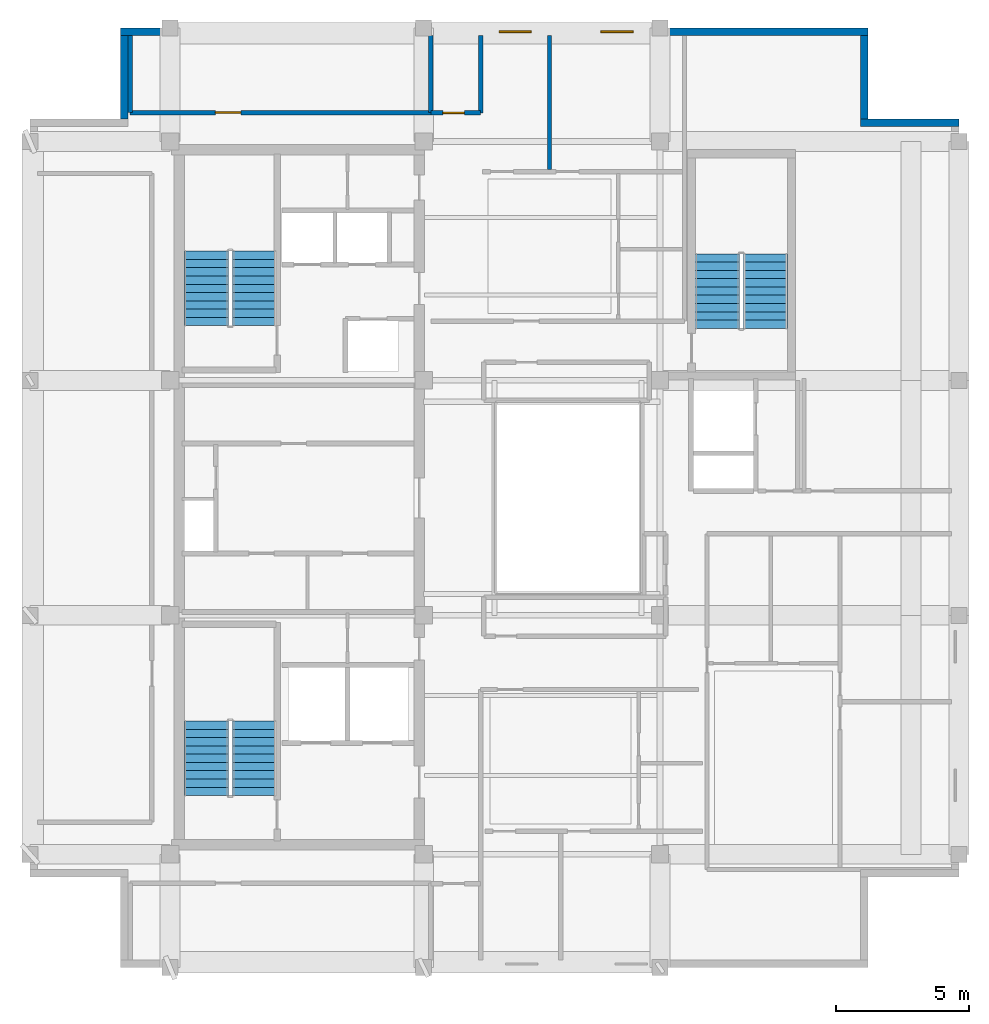
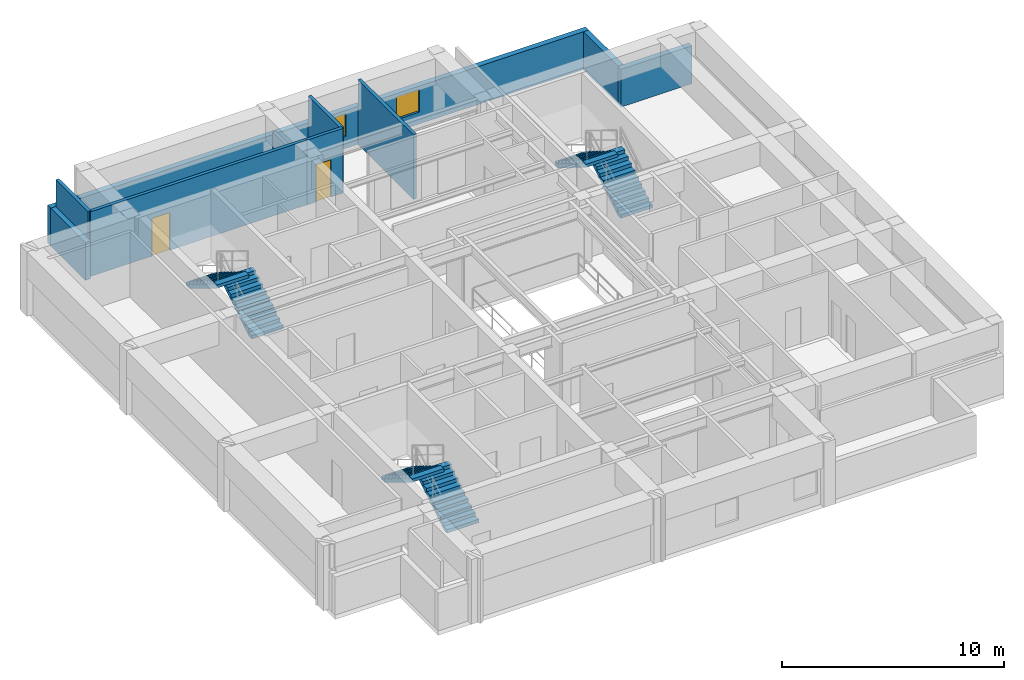
# One storey, part 5 of 6: 10 walls, 6 stair flights, 2 doors, 2 windows, 4 openings, 3 elements without a shape of their own.
"""IFC4 building model written with IfcOpenShell, lengths in metres."""

from ifc_helpers import new_model, si_unit, direction, frame, frame_2d, origin, place, context, subcontext, project, spatial, polyline, rectangle, outline, extrude, material, layer, layer_set, type_object, element, fill, aggregate, save


model = new_model("IFC4")

# Units and contexts
model_context = context("Model", 3, precision=1e-05, world=origin(), true_north=direction((0.0, 1.0)))
body_context = subcontext(model_context, "Body", "Model", "MODEL_VIEW")
ifc_project = project(units=[si_unit("LENGTHUNIT", "METRE"), si_unit("AREAUNIT", "SQUARE_METRE"), si_unit("VOLUMEUNIT", "CUBIC_METRE"), si_unit("PLANEANGLEUNIT", "RADIAN"), si_unit("MASSUNIT", "GRAM", prefix="KILO")], contexts=[model_context])

# Site, building, storey
site_placement = place(None, origin())
site = spatial("IfcSite", under=ifc_project, at=site_placement, CompositionType="ELEMENT")
building_placement = place(site_placement, origin())
building = spatial("IfcBuilding", under=site, at=building_placement, Name="Kundavana Baori Tower", CompositionType="ELEMENT")
storey_placement = place(building_placement, frame((0.0, 0.0, 331.5)))
storey = spatial("IfcBuildingStorey", under=building, at=storey_placement, Name="L82", CompositionType="ELEMENT", Elevation=331.5)

# Walls
ifc_material_1 = material(Name="Red-Buff Dholpur Sandstone Cladding on Concrete C40/50", Category="masonry")
ifc_layer_1 = layer(ifc_material_1, 0.280029296875, Name="WL-EXT-SAND-280")
ifc_layer_set_1 = layer_set([ifc_layer_1], Name="Red-Buff Dholpur Sandstone Cladding on Concrete C40/50")
wall_type_1 = type_object("IfcWallType", Name="WL-EXT-SAND-280", PredefinedType="STANDARD", material=ifc_layer_set_1)
wall_1_placement = place(storey_placement, frame((45.0, 42.659912109375, 0.0), z_axis=(0.0, 0.0, 1.0), x_axis=(-1.0, 0.0, 0.0)))
element("IfcWall", 1, at=wall_1_placement, inside=storey, type_object=wall_type_1, Name="L82 Exterior Insulated Facade Wall 05", PredefinedType="STANDARD", context=body_context, shape_type="SweptSolid", body=[
    extrude(rectangle(XDim=3.679931640625, YDim=0.280029296875, at=frame_2d((1.83984375, 0.0))), origin(), (0.0, 0.0, 1.0), 2.080078125),
])
wall_2_placement = place(storey_placement, frame((41.4599609375, 42.800048828125, 0.0), z_axis=(0.0, 0.0, 1.0), x_axis=(0.0, 1.0, 0.0)))
element("IfcWall", 2, at=wall_2_placement, inside=storey, type_object=wall_type_1, Name="L82 Exterior Insulated Facade Wall 06", PredefinedType="STANDARD", context=body_context, shape_type="SweptSolid", body=[
    extrude(rectangle(XDim=3.119873046875, YDim=0.280029296875, at=frame_2d((1.56005859375, 0.0))), origin(), (0.0, 0.0, 1.0), 2.080078125),
])

# Wall, openings, windows
wall_3_placement = place(storey_placement, frame((41.60009765625, 46.06005859375, 0.0), z_axis=(0.0, 0.0, 1.0), x_axis=(-1.0, 0.0, 0.0)))
wall_3 = element("IfcWall", 3, at=wall_3_placement, inside=storey, type_object=wall_type_1, Name="L82 Exterior Insulated Facade Wall 07", PredefinedType="STANDARD", context=body_context, shape_type="SweptSolid", body=[
    extrude(rectangle(XDim=28.0, YDim=0.280029296875, at=frame_2d((14.0, 0.0))), origin(), (0.0, 0.0, 1.0), 2.080078125),
])
opening_1_placement = place(wall_3_placement, frame((12.6298828125, 0.0, 0.64990234375)))
opening_1 = element("IfcOpeningElement", 4, at=opening_1_placement, cuts=wall_3, Name="Opening W-12", PredefinedType="OPENING", context=body_context, shape_type="SweptSolid", body=[
    extrude(rectangle(XDim=1.199951171875, YDim=1.25, at=frame_2d((0.60009765625, 0.625))), frame((0.0, 0.14990234375, 0.0), z_axis=(0.0, -1.0, 0.0), x_axis=(1.0, 0.0, 0.0)), (0.0, 0.0, 1.0), 0.300048828125),
])
opening_2_placement = place(wall_3_placement, frame((8.81005859375, 0.0, 0.64990234375)))
opening_2 = element("IfcOpeningElement", 5, at=opening_2_placement, cuts=wall_3, Name="Opening W-12", PredefinedType="OPENING", context=body_context, shape_type="SweptSolid", body=[
    extrude(rectangle(XDim=1.199951171875, YDim=1.25, at=frame_2d((0.60009765625, 0.625))), frame((0.0, 0.14990234375, 0.0), z_axis=(0.0, -1.0, 0.0), x_axis=(1.0, 0.0, 0.0)), (0.0, 0.0, 1.0), 0.300048828125),
])
ifc_material_2 = material(Name="Double-Glazed Solar-Control Low-E Insulated Glass", Category="glass")
window_type = type_object("IfcWindowType", Name="WIN-TRN-1200x1250", PartitioningType="SINGLE_PANEL", PredefinedType="WINDOW", material=ifc_material_2)
window_1_placement = place(opening_1_placement, origin())
window_1 = element("IfcWindow", 6, at=window_1_placement, inside=storey, type_object=window_type, Name="L82 Dwelling Outlook Window DW-3", OverallHeight=1.25, OverallWidth=1.199951171875, PartitioningType="SINGLE_PANEL", PredefinedType="WINDOW", context=body_context, shape_type="SweptSolid", body=[
    extrude(rectangle(XDim=1.199951171875, YDim=1.25, at=frame_2d((0.60009765625, 0.625))), frame((0.0, 0.030029296875, 0.0), z_axis=(0.0, -1.0, 0.0), x_axis=(1.0, 0.0, 0.0)), (0.0, 0.0, 1.0), 0.06005859375),
])
fill(opening_1, window_1)
window_2_placement = place(opening_2_placement, origin())
window_2 = element("IfcWindow", 7, at=window_2_placement, inside=storey, type_object=window_type, Name="L82 Dwelling Outlook Window DW-4", OverallHeight=1.25, OverallWidth=1.199951171875, PartitioningType="SINGLE_PANEL", PredefinedType="WINDOW", context=body_context, shape_type="SweptSolid", body=[
    extrude(rectangle(XDim=1.199951171875, YDim=1.25, at=frame_2d((0.60009765625, 0.625))), frame((0.0, 0.030029296875, 0.0), z_axis=(0.0, -1.0, 0.0), x_axis=(1.0, 0.0, 0.0)), (0.0, 0.0, 1.0), 0.06005859375),
])
fill(opening_2, window_2)

# Wall
wall_4_placement = place(storey_placement, frame((13.739990234375, 45.919921875, 0.0), z_axis=(0.0, 0.0, 1.0), x_axis=(0.0, -1.0, 0.0)))
element("IfcWall", 8, at=wall_4_placement, inside=storey, type_object=wall_type_1, Name="L82 Exterior Insulated Facade Wall 08", PredefinedType="STANDARD", context=body_context, shape_type="SweptSolid", body=[
    extrude(rectangle(XDim=3.119873046875, YDim=0.280029296875, at=frame_2d((1.56005859375, 0.0))), origin(), (0.0, 0.0, 1.0), 2.080078125),
])

# Wall, opening, door
ifc_material_3 = material(Name="Fire-Rated Gypsum Drywall on Galvanised Steel Studs", Category="steel")
ifc_layer_2 = layer(ifc_material_3, 0.1650390625, Name="WL-PART-165")
ifc_layer_set_2 = layer_set([ifc_layer_2], Name="Fire-Rated Gypsum Drywall on Galvanised Steel Studs")
wall_type_2 = type_object("IfcWallType", Name="WL-PART-165", PredefinedType="PARTITIONING", material=ifc_layer_set_2)
wall_5_placement = place(storey_placement, frame((13.949951171875, 43.030029296875, 0.0), z_axis=(0.0, 0.0, 1.0), x_axis=(1.0, 0.0, 0.0)))
wall_5 = element("IfcWall", 9, at=wall_5_placement, inside=storey, type_object=wall_type_2, Name="WL-L82-RNC", PredefinedType="PARTITIONING", context=body_context, shape_type="SweptSolid", body=[
    extrude(rectangle(XDim=11.27001953125, YDim=0.1650390625, at=frame_2d((5.635009765625, 0.0))), origin(), (0.0, 0.0, 1.0), 3.56005859375),
])
opening_3_placement = place(wall_5_placement, frame((3.199951171875, 0.0, 0.0)))
opening_3 = element("IfcOpeningElement", 10, at=opening_3_placement, cuts=wall_5, Name="Opening ID-095", PredefinedType="OPENING", context=body_context, shape_type="SweptSolid", body=[
    extrude(rectangle(XDim=0.949951171875, YDim=2.080078125, at=frame_2d((0.47509765625, 1.0400390625))), frame((0.0, 0.092529296875, 0.0), z_axis=(0.0, -1.0, 0.0), x_axis=(1.0, 0.0, 0.0)), (0.0, 0.0, 1.0), 0.18505859375),
])
ifc_material_4 = material(Name="Engineered Teak Solid-Core Timber Veneer", Category="wood")
door_type_1 = type_object("IfcDoorType", Name="DR-INT-950", OperationType="NOTDEFINED", PredefinedType="DOOR", material=ifc_material_4)
door_1_placement = place(opening_3_placement, origin())
door_1 = element("IfcDoor", 11, at=door_1_placement, inside=storey, type_object=door_type_1, Name="DR-L82-RMNW", OperationType="SINGLE_SWING_RIGHT", OverallHeight=2.080078125, OverallWidth=0.949951171875, PredefinedType="DOOR", context=body_context, shape_type="SweptSolid", body=[
    extrude(rectangle(XDim=0.949951171875, YDim=2.080078125, at=frame_2d((0.47509765625, 1.0400390625))), frame((0.0, 0.02490234375, 0.0), z_axis=(0.0, -1.0, 0.0), x_axis=(1.0, 0.0, 0.0)), (0.0, 0.0, 1.0), 0.050048828125),
])
fill(opening_3, door_1)

# Walls
wall_6_placement = place(storey_placement, frame((13.949951171875, 43.030029296875, 0.0), z_axis=(0.0, 0.0, 1.0), x_axis=(0.0, 1.0, 0.0)))
element("IfcWall", 12, at=wall_6_placement, inside=storey, type_object=wall_type_2, Name="WL-L82-RNCW", PredefinedType="PARTITIONING", context=body_context, shape_type="SweptSolid", body=[
    extrude(rectangle(XDim=2.889892578125, YDim=0.1650390625, at=frame_2d((1.44482421875, 0.0))), origin(), (0.0, 0.0, 1.0), 3.56005859375),
])
wall_7_placement = place(storey_placement, frame((25.219970703125, 43.030029296875, 0.0), z_axis=(0.0, 0.0, 1.0), x_axis=(0.0, 1.0, 0.0)))
element("IfcWall", 13, at=wall_7_placement, inside=storey, type_object=wall_type_2, Name="WL-L82-RNCE", PredefinedType="PARTITIONING", context=body_context, shape_type="SweptSolid", body=[
    extrude(rectangle(XDim=2.889892578125, YDim=0.1650390625, at=frame_2d((1.44482421875, 0.0))), origin(), (0.0, 0.0, 1.0), 2.239990234375),
])
wall_8_placement = place(storey_placement, frame((29.659912109375, 40.902099609375, 0.0), z_axis=(0.0, 0.0, 1.0), x_axis=(0.0, 1.0, 0.0)))
element("IfcWall", 14, at=wall_8_placement, inside=storey, type_object=wall_type_2, Name="WL-L82-N1-BDV", PredefinedType="PARTITIONING", context=body_context, shape_type="SweptSolid", body=[
    extrude(rectangle(XDim=5.017822265625, YDim=0.1650390625, at=frame_2d((2.5087890625, 0.0))), origin(), (0.0, 0.0, 1.0), 3.56005859375),
])

# Wall, opening, door
wall_9_placement = place(storey_placement, frame((25.219970703125, 43.02001953125, 0.0), z_axis=(0.0, 0.0, 1.0), x_axis=(1.0, 0.0, 0.0)))
wall_9 = element("IfcWall", 15, at=wall_9_placement, inside=storey, type_object=wall_type_2, Name="WL-L82-CNCS", PredefinedType="PARTITIONING", context=body_context, shape_type="SweptSolid", body=[
    extrude(rectangle(XDim=1.860107421875, YDim=0.1650390625, at=frame_2d((0.93017578125, 0.0))), origin(), (0.0, 0.0, 1.0), 3.56005859375),
])
opening_4_placement = place(wall_9_placement, frame((0.449951171875, 0.0, 0.0)))
opening_4 = element("IfcOpeningElement", 16, at=opening_4_placement, cuts=wall_9, Name="Opening WD-080", PredefinedType="OPENING", context=body_context, shape_type="SweptSolid", body=[
    extrude(rectangle(XDim=0.800048828125, YDim=2.050048828125, at=frame_2d((0.39990234375, 1.02490234375))), frame((0.0, 0.092529296875, 0.0), z_axis=(0.0, -1.0, 0.0), x_axis=(1.0, 0.0, 0.0)), (0.0, 0.0, 1.0), 0.18505859375),
])
ifc_material_5 = material(Name="Engineered Teak Solid-Core Timber Veneer", Category="wood")
door_type_2 = type_object("IfcDoorType", Name="DR-WET-800", OperationType="NOTDEFINED", PredefinedType="DOOR", material=ifc_material_5)
door_2_placement = place(opening_4_placement, frame((0.800048828125, 0.0, 0.0), z_axis=(0.0, 0.0, 1.0), x_axis=(-1.0, 0.0, 0.0)))
door_2 = element("IfcDoor", 17, at=door_2_placement, inside=storey, type_object=door_type_2, Name="DR-L82-CSCN", OperationType="SINGLE_SWING_LEFT", OverallHeight=2.050048828125, OverallWidth=0.800048828125, PredefinedType="DOOR", context=body_context, shape_type="SweptSolid", body=[
    extrude(rectangle(XDim=0.800048828125, YDim=2.050048828125, at=frame_2d((0.39990234375, 1.02490234375))), frame((0.0, 0.02490234375, 0.0), z_axis=(0.0, -1.0, 0.0), x_axis=(1.0, 0.0, 0.0)), (0.0, 0.0, 1.0), 0.050048828125),
])
fill(opening_4, door_2)

# Wall
wall_10_placement = place(storey_placement, frame((27.080078125, 43.02001953125, 0.0), z_axis=(0.0, 0.0, 1.0), x_axis=(0.0, 1.0, 0.0)))
element("IfcWall", 18, at=wall_10_placement, inside=storey, type_object=wall_type_2, Name="WL-L82-CNCE", PredefinedType="PARTITIONING", context=body_context, shape_type="SweptSolid", body=[
    extrude(rectangle(XDim=2.89990234375, YDim=0.1650390625, at=frame_2d((1.449951171875, 0.0))), origin(), (0.0, 0.0, 1.0), 3.56005859375),
])

# Stair, stair flights
ifc_material_6 = material(Name="Concrete C40/50", Category="concrete")
stair_type = type_object("IfcStairType", Name="STR-DOG-1650", PredefinedType="HALF_TURN_STAIR", material=ifc_material_6)
stair_1_placement = place(storey_placement, origin())
stair_1 = element("IfcStair", 19, at=stair_1_placement, inside=storey, type_object=stair_type, Name="L82 Protected Exit Stair ST1", PredefinedType="HALF_TURN_STAIR")
ifc_material_7 = material(Name="Concrete C40/50", Category="concrete")
stair_flight_type = type_object("IfcStairFlightType", Name="SFL-RC-1650", PredefinedType="STRAIGHT", material=ifc_material_7)
stair_flight_1_placement = place(storey_placement, frame((18.614990234375, 17.449951171875, 0.0), z_axis=(0.0, 0.0, 1.0), x_axis=(0.0, 1.0, 0.0)))
stair_flight_1 = element("IfcStairFlight", 20, at=stair_flight_1_placement, type_object=stair_flight_type, Name="ST1 flight 1", NumberOfRisers=10, NumberOfTreads=9, PredefinedType="STRAIGHT", RiserHeight=0.19, TreadLength=0.31, context=body_context, shape_type="SweptSolid", body=[
    extrude(outline(polyline([(0.0, 0.0), (0.0, 0.18994140625), (0.31005859375, 0.18994140625), (0.31005859375, 0.3798828125), (0.6201171875, 0.3798828125), (0.6201171875, 0.570068359375), (0.929931640625, 0.570068359375), (0.929931640625, 0.760009765625), (1.239990234375, 0.760009765625), (1.239990234375, 0.949951171875), (1.550048828125, 0.949951171875), (1.550048828125, 1.139892578125), (1.860107421875, 1.139892578125), (1.860107421875, 1.330078125), (2.169921875, 1.330078125), (2.169921875, 1.52001953125), (2.47998046875, 1.52001953125), (2.47998046875, 1.7099609375), (2.7900390625, 1.7099609375), (2.7900390625, 1.89990234375), (2.7900390625, 1.5341796875), (0.286865234375, 0.0), (0.0, 0.0)])), frame((0.0, 0.824951171875, 0.0), z_axis=(0.0, -1.0, 0.0), x_axis=(1.0, 0.0, 0.0)), (0.0, 0.0, 1.0), 1.64990234375),
])
stair_flight_2_placement = place(storey_placement, frame((16.804931640625, 20.239990234375, 1.89990234375), z_axis=(0.0, 0.0, 1.0), x_axis=(0.0, -1.0, 0.0)))
stair_flight_2 = element("IfcStairFlight", 21, at=stair_flight_2_placement, type_object=stair_flight_type, Name="ST1 flight 2", NumberOfRisers=10, NumberOfTreads=9, PredefinedType="STRAIGHT", RiserHeight=0.19, TreadLength=0.31, context=body_context, shape_type="SweptSolid", body=[
    extrude(outline(polyline([(0.0, 0.0), (0.0, 0.18994140625), (0.31005859375, 0.18994140625), (0.31005859375, 0.3798828125), (0.6201171875, 0.3798828125), (0.6201171875, 0.570068359375), (0.929931640625, 0.570068359375), (0.929931640625, 0.760009765625), (1.239990234375, 0.760009765625), (1.239990234375, 0.949951171875), (1.550048828125, 0.949951171875), (1.550048828125, 1.139892578125), (1.860107421875, 1.139892578125), (1.860107421875, 1.330078125), (2.169921875, 1.330078125), (2.169921875, 1.52001953125), (2.47998046875, 1.52001953125), (2.47998046875, 1.7099609375), (2.7900390625, 1.7099609375), (2.7900390625, 1.89990234375), (2.7900390625, 1.5341796875), (0.286865234375, 0.0), (0.0, 0.0)])), frame((0.0, 0.824951171875, 0.0), z_axis=(0.0, -1.0, 0.0), x_axis=(1.0, 0.0, 0.0)), (0.0, 0.0, 1.0), 1.64990234375),
])
aggregate(stair_1, [stair_flight_1, stair_flight_2])

stair_2_placement = place(storey_placement, origin())
stair_2 = element("IfcStair", 22, at=stair_2_placement, inside=storey, type_object=stair_type, Name="L82 Protected Exit Stair ST2", PredefinedType="HALF_TURN_STAIR")
stair_flight_3_placement = place(storey_placement, frame((18.614990234375, 35.050048828125, 0.0), z_axis=(0.0, 0.0, 1.0), x_axis=(0.0, 1.0, 0.0)))
stair_flight_3 = element("IfcStairFlight", 23, at=stair_flight_3_placement, type_object=stair_flight_type, Name="ST2 flight 1", NumberOfRisers=10, NumberOfTreads=9, PredefinedType="STRAIGHT", RiserHeight=0.19, TreadLength=0.31, context=body_context, shape_type="SweptSolid", body=[
    extrude(outline(polyline([(0.0, 0.0), (0.0, 0.18994140625), (0.31005859375, 0.18994140625), (0.31005859375, 0.3798828125), (0.6201171875, 0.3798828125), (0.6201171875, 0.570068359375), (0.929931640625, 0.570068359375), (0.929931640625, 0.760009765625), (1.239990234375, 0.760009765625), (1.239990234375, 0.949951171875), (1.550048828125, 0.949951171875), (1.550048828125, 1.139892578125), (1.860107421875, 1.139892578125), (1.860107421875, 1.330078125), (2.169921875, 1.330078125), (2.169921875, 1.52001953125), (2.47998046875, 1.52001953125), (2.47998046875, 1.7099609375), (2.7900390625, 1.7099609375), (2.7900390625, 1.89990234375), (2.7900390625, 1.5341796875), (0.286865234375, 0.0), (0.0, 0.0)])), frame((0.0, 0.824951171875, 0.0), z_axis=(0.0, -1.0, 0.0), x_axis=(1.0, 0.0, 0.0)), (0.0, 0.0, 1.0), 1.64990234375),
])
stair_flight_4_placement = place(storey_placement, frame((16.804931640625, 37.840087890625, 1.89990234375), z_axis=(0.0, 0.0, 1.0), x_axis=(0.0, -1.0, 0.0)))
stair_flight_4 = element("IfcStairFlight", 24, at=stair_flight_4_placement, type_object=stair_flight_type, Name="ST2 flight 2", NumberOfRisers=10, NumberOfTreads=9, PredefinedType="STRAIGHT", RiserHeight=0.19, TreadLength=0.31, context=body_context, shape_type="SweptSolid", body=[
    extrude(outline(polyline([(0.0, 0.0), (0.0, 0.18994140625), (0.31005859375, 0.18994140625), (0.31005859375, 0.3798828125), (0.6201171875, 0.3798828125), (0.6201171875, 0.570068359375), (0.929931640625, 0.570068359375), (0.929931640625, 0.760009765625), (1.239990234375, 0.760009765625), (1.239990234375, 0.949951171875), (1.550048828125, 0.949951171875), (1.550048828125, 1.139892578125), (1.860107421875, 1.139892578125), (1.860107421875, 1.330078125), (2.169921875, 1.330078125), (2.169921875, 1.52001953125), (2.47998046875, 1.52001953125), (2.47998046875, 1.7099609375), (2.7900390625, 1.7099609375), (2.7900390625, 1.89990234375), (2.7900390625, 1.5341796875), (0.286865234375, 0.0), (0.0, 0.0)])), frame((0.0, 0.824951171875, 0.0), z_axis=(0.0, -1.0, 0.0), x_axis=(1.0, 0.0, 0.0)), (0.0, 0.0, 1.0), 1.64990234375),
])
aggregate(stair_2, [stair_flight_3, stair_flight_4])

stair_3_placement = place(storey_placement, origin())
stair_3 = element("IfcStair", 25, at=stair_3_placement, inside=storey, type_object=stair_type, Name="L82 Protected Exit Stair ST3", PredefinedType="HALF_TURN_STAIR")
stair_flight_5_placement = place(storey_placement, frame((37.7548828125, 34.949951171875, 0.0), z_axis=(0.0, 0.0, 1.0), x_axis=(0.0, 1.0, 0.0)))
stair_flight_5 = element("IfcStairFlight", 26, at=stair_flight_5_placement, type_object=stair_flight_type, Name="ST3 flight 1", NumberOfRisers=10, NumberOfTreads=9, PredefinedType="STRAIGHT", RiserHeight=0.19, TreadLength=0.31, context=body_context, shape_type="SweptSolid", body=[
    extrude(outline(polyline([(0.0, 0.0), (0.0, 0.18994140625), (0.31005859375, 0.18994140625), (0.31005859375, 0.3798828125), (0.6201171875, 0.3798828125), (0.6201171875, 0.570068359375), (0.929931640625, 0.570068359375), (0.929931640625, 0.760009765625), (1.239990234375, 0.760009765625), (1.239990234375, 0.949951171875), (1.550048828125, 0.949951171875), (1.550048828125, 1.139892578125), (1.860107421875, 1.139892578125), (1.860107421875, 1.330078125), (2.169921875, 1.330078125), (2.169921875, 1.52001953125), (2.47998046875, 1.52001953125), (2.47998046875, 1.7099609375), (2.7900390625, 1.7099609375), (2.7900390625, 1.89990234375), (2.7900390625, 1.5341796875), (0.286865234375, 0.0), (0.0, 0.0)])), frame((0.0, 0.824951171875, 0.0), z_axis=(0.0, -1.0, 0.0), x_axis=(1.0, 0.0, 0.0)), (0.0, 0.0, 1.0), 1.64990234375),
])
stair_flight_6_placement = place(storey_placement, frame((35.945068359375, 37.739990234375, 1.89990234375), z_axis=(0.0, 0.0, 1.0), x_axis=(0.0, -1.0, 0.0)))
stair_flight_6 = element("IfcStairFlight", 27, at=stair_flight_6_placement, type_object=stair_flight_type, Name="ST3 flight 2", NumberOfRisers=10, NumberOfTreads=9, PredefinedType="STRAIGHT", RiserHeight=0.19, TreadLength=0.31, context=body_context, shape_type="SweptSolid", body=[
    extrude(outline(polyline([(0.0, 0.0), (0.0, 0.18994140625), (0.31005859375, 0.18994140625), (0.31005859375, 0.3798828125), (0.6201171875, 0.3798828125), (0.6201171875, 0.570068359375), (0.929931640625, 0.570068359375), (0.929931640625, 0.760009765625), (1.239990234375, 0.760009765625), (1.239990234375, 0.949951171875), (1.550048828125, 0.949951171875), (1.550048828125, 1.139892578125), (1.860107421875, 1.139892578125), (1.860107421875, 1.330078125), (2.169921875, 1.330078125), (2.169921875, 1.52001953125), (2.47998046875, 1.52001953125), (2.47998046875, 1.7099609375), (2.7900390625, 1.7099609375), (2.7900390625, 1.89990234375), (2.7900390625, 1.5341796875), (0.286865234375, 0.0), (0.0, 0.0)])), frame((0.0, 0.824951171875, 0.0), z_axis=(0.0, -1.0, 0.0), x_axis=(1.0, 0.0, 0.0)), (0.0, 0.0, 1.0), 1.64990234375),
])
aggregate(stair_3, [stair_flight_5, stair_flight_6])

save(model, "model.ifc")
